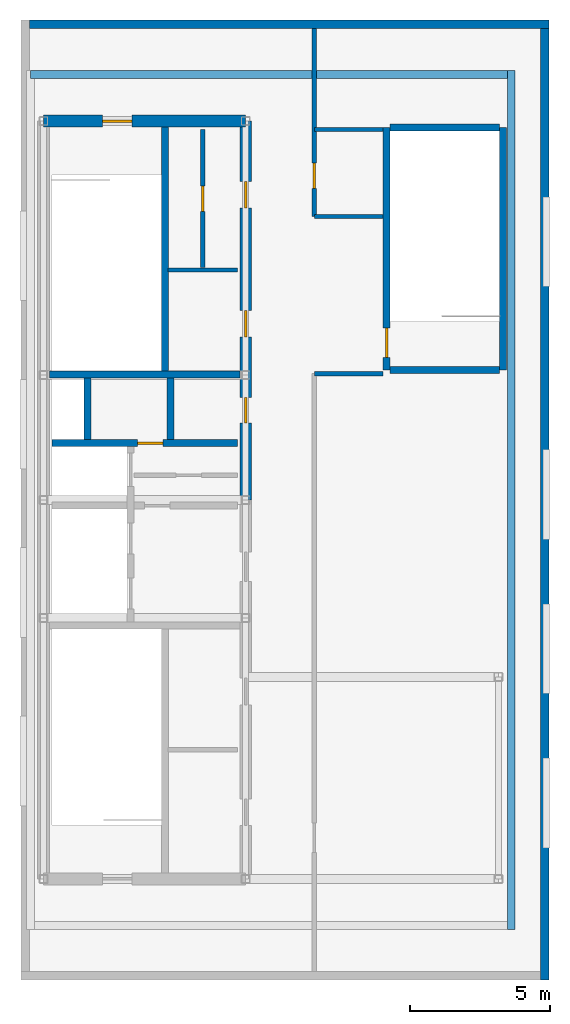
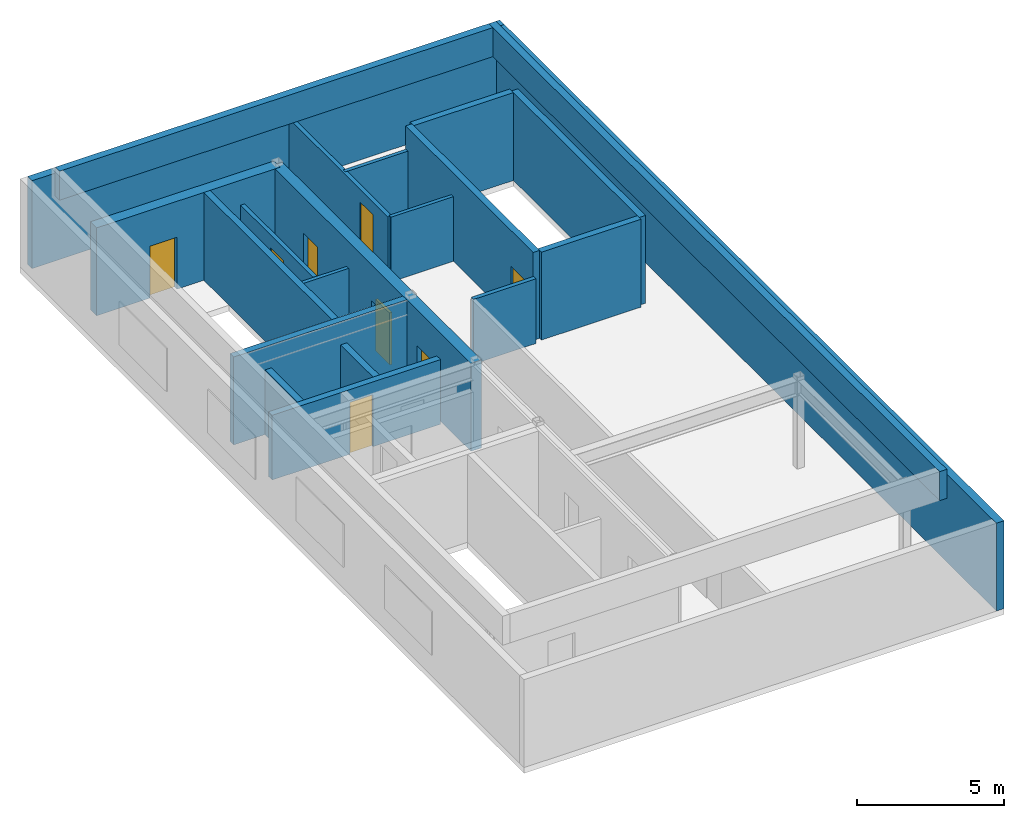
# One storey, part 2 of 3: 21 walls, 8 doors, 8 openings.
"""IFC4 building model written with IfcOpenShell, lengths in metres."""

from ifc_helpers import new_model, entity, si_unit, converted_unit, direction, frame, origin_with_axes, origin_2d_with_axis, place, context, subcontext, project, spatial, polyline, rectangle, outline, extrude, material, layer, layer_set, type_object, element, fill, save


model = new_model("IFC4")

# Units and contexts
model_context = context("Model", 3, precision=1e-05, world=origin_with_axes(), true_north=direction((0.0, 1.0)))
body_context = subcontext(model_context, "Body", "Model", "MODEL_VIEW")
ifc_project = project(units=[si_unit("LENGTHUNIT", "METRE"), si_unit("AREAUNIT", "SQUARE_METRE"), si_unit("VOLUMEUNIT", "CUBIC_METRE"), converted_unit("PLANEANGLEUNIT", "DEGREE", entity("IfcPlaneAngleMeasure", 0.017453292519943295), si_unit("PLANEANGLEUNIT", "RADIAN"), dimensions=[0, 0, 0, 0, 0, 0, 0]), si_unit("MASSUNIT", "GRAM", prefix="KILO"), si_unit("THERMODYNAMICTEMPERATUREUNIT", "KELVIN")], contexts=[model_context])

# Site, building, storey
site_placement = place(None, origin_with_axes())
site = spatial("IfcSite", under=ifc_project, at=site_placement, CompositionType="ELEMENT")
building_placement = place(site_placement, origin_with_axes())
building = spatial("IfcBuilding", under=site, at=building_placement, Name="Varnlund Millrace Tower", CompositionType="ELEMENT")
storey_placement = place(building_placement, frame((0.0, 0.0, 332.1), z_axis=(0.0, 0.0, 1.0), x_axis=(1.0, 0.0, 0.0)))
storey = spatial("IfcBuildingStorey", under=building, at=storey_placement, Name="L82", CompositionType="ELEMENT", Elevation=332.1)

# Wall, opening, door
ifc_material_1 = material(Name="Concrete C60/75", Category="concrete")
ifc_layer_1 = layer(ifc_material_1, 0.42, Name="Concrete C60/75")
ifc_layer_set_1 = layer_set([ifc_layer_1], Name="Concrete C60/75")
wall_type_1 = type_object("IfcWallType", Name="Type-CoreWall-Shear-420-C60", PredefinedType="SHEAR", material=ifc_layer_set_1)
wall_1_placement = place(storey_placement, frame((11.4, 37.8, 0.0), z_axis=(0.0, 0.0, 1.0), x_axis=(1.0, 0.0, 0.0)))
wall_1 = element("IfcWall", 1, at=wall_1_placement, inside=storey, type_object=wall_type_1, Name="Type-CoreWall-Shear-420-C60", PredefinedType="SHEAR", context=body_context, shape_type="SweptSolid", body=[
    extrude(outline(polyline([(0.0, -0.21), (7.2, -0.21), (7.2, 0.21), (0.0, 0.21), (0.0, -0.21)])), origin_with_axes(), (0.0, 0.0, 1.0), 3.64),
])
opening_1_placement = place(wall_1_placement, frame((2.625, 0.0, 0.0), z_axis=(0.0, 0.0, 1.0), x_axis=(1.0, 0.0, 0.0)))
opening_1 = element("IfcOpeningElement", 2, at=opening_1_placement, cuts=wall_1, Name="Opening L82:DR-STA2", PredefinedType="OPENING", context=body_context, shape_type="SweptSolid", body=[
    extrude(rectangle(XDim=1.05, YDim=0.44, at=origin_2d_with_axis()), origin_with_axes(), (0.0, 0.0, 1.0), 2.15),
])
ifc_material_2 = material(Name="Fire-rated hollow steel door", Category="steel")
door_type_1 = type_object("IfcDoorType", Name="Type-FireDoor-Stair-1050X2150", OperationType="NOTDEFINED", PredefinedType="DOOR", material=ifc_material_2)
door_1_placement = place(wall_1_placement, frame((2.625, 0.0, 0.0), z_axis=(0.0, 0.0, 1.0), x_axis=(1.0, 0.0, 0.0)))
door_1 = element("IfcDoor", 3, at=door_1_placement, inside=storey, type_object=door_type_1, Name="Type-FireDoor-Stair-1050X2150", OperationType="SINGLE_SWING_RIGHT", OverallHeight=2.15, OverallWidth=1.05, PredefinedType="DOOR", context=body_context, shape_type="SweptSolid", body=[
    extrude(rectangle(XDim=1.05, YDim=0.09, at=origin_2d_with_axis()), origin_with_axes(), (0.0, 0.0, 1.0), 2.15),
])
fill(opening_1, door_1)

# Wall, openings, doors
wall_2_placement = place(storey_placement, frame((18.6, 24.3, 0.0), z_axis=(0.0, 0.0, 1.0), x_axis=(0.0, 1.0, 0.0)))
wall_2 = element("IfcWall", 4, at=wall_2_placement, inside=storey, type_object=wall_type_1, Name="Type-CoreWall-Shear-420-C60", PredefinedType="SHEAR", context=body_context, shape_type="SweptSolid", body=[
    extrude(outline(polyline([(0.0, -0.21), (13.5, -0.21), (13.5, 0.21), (0.0, 0.21), (0.0, -0.21)])), origin_with_axes(), (0.0, 0.0, 1.0), 3.64),
])
opening_2_placement = place(wall_2_placement, frame((3.2, 0.0, 0.0), z_axis=(0.0, 0.0, 1.0), x_axis=(1.0, 0.0, 0.0)))
opening_2 = element("IfcOpeningElement", 5, at=opening_2_placement, cuts=wall_2, Name="Opening L82:DR-ROB", PredefinedType="OPENING", context=body_context, shape_type="SweptSolid", body=[
    extrude(rectangle(XDim=0.9, YDim=0.44, at=origin_2d_with_axis()), origin_with_axes(), (0.0, 0.0, 1.0), 2.15),
])
opening_3_placement = place(wall_2_placement, frame((6.275, 0.0, 0.0), z_axis=(0.0, 0.0, 1.0), x_axis=(1.0, 0.0, 0.0)))
opening_3 = element("IfcOpeningElement", 6, at=opening_3_placement, cuts=wall_2, Name="Opening L82:DR-RECL-M1", PredefinedType="OPENING", context=body_context, shape_type="SweptSolid", body=[
    extrude(rectangle(XDim=0.95, YDim=0.44, at=origin_2d_with_axis()), origin_with_axes(), (0.0, 0.0, 1.0), 2.15),
])
opening_4_placement = place(wall_2_placement, frame((10.875, 0.0, 0.0), z_axis=(0.0, 0.0, 1.0), x_axis=(1.0, 0.0, 0.0)))
opening_4 = element("IfcOpeningElement", 7, at=opening_4_placement, cuts=wall_2, Name="Opening L82:DR-RECL-M3", PredefinedType="OPENING", context=body_context, shape_type="SweptSolid", body=[
    extrude(rectangle(XDim=0.95, YDim=0.44, at=origin_2d_with_axis()), origin_with_axes(), (0.0, 0.0, 1.0), 2.15),
])
ifc_material_3 = material(Name="Fire-rated hollow steel service closet door", Category="steel")
door_type_2 = type_object("IfcDoorType", Name="Type-FireDoor-Closet-900X2150", OperationType="NOTDEFINED", PredefinedType="DOOR", material=ifc_material_3)
door_2_placement = place(wall_2_placement, frame((3.2, 0.0, 0.0), z_axis=(0.0, 0.0, 1.0), x_axis=(1.0, 0.0, 0.0)))
door_2 = element("IfcDoor", 8, at=door_2_placement, inside=storey, type_object=door_type_2, Name="Type-FireDoor-Closet-900X2150", OperationType="SINGLE_SWING_RIGHT", OverallHeight=2.15, OverallWidth=0.9, PredefinedType="DOOR", context=body_context, shape_type="SweptSolid", body=[
    extrude(rectangle(XDim=0.9, YDim=0.09, at=origin_2d_with_axis()), origin_with_axes(), (0.0, 0.0, 1.0), 2.15),
])
fill(opening_2, door_2)
ifc_material_4 = material(Name="Fire-rated hollow steel core service door", Category="steel")
door_type_3 = type_object("IfcDoorType", Name="Type-FireDoor-Service-950X2150", OperationType="NOTDEFINED", PredefinedType="DOOR", material=ifc_material_4)
door_3_placement = place(wall_2_placement, frame((6.275, 0.0, 0.0), z_axis=(0.0, 0.0, 1.0), x_axis=(1.0, 0.0, 0.0)))
door_3 = element("IfcDoor", 9, at=door_3_placement, inside=storey, type_object=door_type_3, Name="Type-FireDoor-Service-950X2150", OperationType="SINGLE_SWING_LEFT", OverallHeight=2.15, OverallWidth=0.95, PredefinedType="DOOR", context=body_context, shape_type="SweptSolid", body=[
    extrude(rectangle(XDim=0.95, YDim=0.09, at=origin_2d_with_axis()), origin_with_axes(), (0.0, 0.0, 1.0), 2.15),
])
fill(opening_3, door_3)
door_4_placement = place(wall_2_placement, frame((10.875, 0.0, 0.0), z_axis=(0.0, 0.0, 1.0), x_axis=(1.0, 0.0, 0.0)))
door_4 = element("IfcDoor", 10, at=door_4_placement, inside=storey, type_object=door_type_3, Name="Type-FireDoor-Service-950X2150", OperationType="SINGLE_SWING_RIGHT", OverallHeight=2.15, OverallWidth=0.95, PredefinedType="DOOR", context=body_context, shape_type="SweptSolid", body=[
    extrude(rectangle(XDim=0.95, YDim=0.09, at=origin_2d_with_axis()), origin_with_axes(), (0.0, 0.0, 1.0), 2.15),
])
fill(opening_4, door_4)

# Walls
ifc_material_5 = material(Name="Precast concrete C50/60", Category="concrete")
ifc_layer_2 = layer(ifc_material_5, 0.3, Name="Precast concrete C50/60")
ifc_layer_set_2 = layer_set([ifc_layer_2], Name="Precast concrete C50/60")
wall_type_2 = type_object("IfcWallType", Name="Type-ExtWall-Precast-Crown-300", PredefinedType="SOLIDWALL", material=ifc_layer_set_2)
wall_3_placement = place(storey_placement, frame((10.9, 41.25, 0.0), z_axis=(0.0, 0.0, 1.0), x_axis=(1.0, 0.0, 0.0)))
element("IfcWall", 11, at=wall_3_placement, inside=storey, type_object=wall_type_2, Name="Type-ExtWall-Precast-Crown-300", PredefinedType="SOLIDWALL", context=body_context, shape_type="SweptSolid", body=[
    extrude(outline(polyline([(0.0, -0.15), (18.5, -0.15), (18.5, 0.15), (0.0, 0.15), (0.0, -0.15)])), origin_with_axes(), (0.0, 0.0, 1.0), 3.64),
])
wall_4_placement = place(storey_placement, frame((29.25, 41.1, 0.0), z_axis=(0.0, 0.0, 1.0), x_axis=(0.0, -1.0, 0.0)))
element("IfcWall", 12, at=wall_4_placement, inside=storey, type_object=wall_type_2, Name="Type-ExtWall-Precast-Crown-300", PredefinedType="SOLIDWALL", context=body_context, shape_type="SweptSolid", body=[
    extrude(outline(polyline([(0.0, -0.15), (33.9, -0.15), (33.9, 0.15), (0.0, 0.15), (0.0, -0.15)])), origin_with_axes(), (0.0, 0.0, 1.0), 3.64),
])
ifc_layer_3 = layer(ifc_material_5, 0.28, Name="Precast concrete C50/60")
ifc_layer_set_3 = layer_set([ifc_layer_3], Name="Precast concrete C50/60")
wall_type_3 = type_object("IfcWallType", Name="Type-ParapetWall-Crown-280", PredefinedType="PARAPET", material=ifc_layer_set_3)
wall_5_placement = place(storey_placement, frame((28.06, 39.6, 3.9), z_axis=(0.0, 0.0, 1.0), x_axis=(0.0, -1.0, 0.0)))
element("IfcWall", 13, at=wall_5_placement, inside=storey, type_object=wall_type_3, Name="Type-ParapetWall-Crown-280", PredefinedType="PARAPET", context=body_context, shape_type="SweptSolid", body=[
    extrude(outline(polyline([(0.0, -0.14), (30.6, -0.14), (30.6, 0.14), (0.0, 0.14), (0.0, -0.14)])), origin_with_axes(), (0.0, 0.0, 1.0), 1.2),
])
wall_6_placement = place(storey_placement, frame((10.94, 39.46, 3.9), z_axis=(0.0, 0.0, 1.0), x_axis=(1.0, 0.0, 0.0)))
element("IfcWall", 14, at=wall_6_placement, inside=storey, type_object=wall_type_3, Name="Type-ParapetWall-Crown-280", PredefinedType="PARAPET", context=body_context, shape_type="SweptSolid", body=[
    extrude(outline(polyline([(0.0, -0.14), (16.98, -0.14), (16.98, 0.14), (0.0, 0.14), (0.0, -0.14)])), origin_with_axes(), (0.0, 0.0, 1.0), 1.2),
])

# Wall, opening, door
ifc_material_6 = material(Name="Fire-rated gypsum board on cold-formed steel framing", Category="steel")
ifc_layer_4 = layer(ifc_material_6, 0.16, Name="Fire-rated gypsum board on cold-formed steel framing")
ifc_layer_set_4 = layer_set([ifc_layer_4], Name="Fire-rated gypsum board on cold-formed steel framing")
wall_type_4 = type_object("IfcWallType", Name="Type-Partition-Corridor-160", PredefinedType="PARTITIONING", material=ifc_layer_set_4)
wall_7_placement = place(storey_placement, frame((17.07, 32.58, 0.0), z_axis=(0.0, 0.0, 1.0), x_axis=(0.0, 1.0, 0.0)))
wall_7 = element("IfcWall", 15, at=wall_7_placement, inside=storey, type_object=wall_type_4, Name="Type-Partition-Corridor-160", PredefinedType="PARTITIONING", context=body_context, shape_type="SweptSolid", body=[
    extrude(outline(polyline([(0.0, -0.08), (4.92, -0.08), (4.92, 0.08), (0.0, 0.08), (0.0, -0.08)])), origin_with_axes(), (0.0, 0.0, 1.0), 2.68),
])
opening_5_placement = place(wall_7_placement, frame((2.45, 0.0, 0.0), z_axis=(0.0, 0.0, 1.0), x_axis=(1.0, 0.0, 0.0)))
opening_5 = element("IfcOpeningElement", 16, at=opening_5_placement, cuts=wall_7, Name="Opening L82:DR-RECL-M2", PredefinedType="OPENING", context=body_context, shape_type="SweptSolid", body=[
    extrude(rectangle(XDim=0.9, YDim=0.18, at=origin_2d_with_axis()), origin_with_axes(), (0.0, 0.0, 1.0), 2.15),
])
ifc_material_7 = material(Name="Painted steel riser and closet door", Category="steel")
door_type_4 = type_object("IfcDoorType", Name="Type-IntDoor-Closet-900X2150", OperationType="NOTDEFINED", PredefinedType="DOOR", material=ifc_material_7)
door_5_placement = place(wall_7_placement, frame((2.45, 0.0, 0.0), z_axis=(0.0, 0.0, 1.0), x_axis=(1.0, 0.0, 0.0)))
door_5 = element("IfcDoor", 17, at=door_5_placement, inside=storey, type_object=door_type_4, Name="Type-IntDoor-Closet-900X2150", OperationType="SINGLE_SWING_LEFT", OverallHeight=2.15, OverallWidth=0.9, PredefinedType="DOOR", context=body_context, shape_type="SweptSolid", body=[
    extrude(rectangle(XDim=0.9, YDim=0.09, at=origin_2d_with_axis()), origin_with_axes(), (0.0, 0.0, 1.0), 2.15),
])
fill(opening_5, door_5)

wall_8_placement = place(storey_placement, frame((21.05, 34.4, 0.0), z_axis=(0.0, 0.0, 1.0), x_axis=(0.0, 1.0, 0.0)))
wall_8 = element("IfcWall", 18, at=wall_8_placement, inside=storey, type_object=wall_type_4, Name="Type-Partition-Corridor-160", PredefinedType="PARTITIONING", context=body_context, shape_type="SweptSolid", body=[
    extrude(outline(polyline([(0.0, -0.08), (6.705, -0.08), (6.705, 0.08), (0.0, 0.08), (0.0, -0.08)])), origin_with_axes(), (0.0, 0.0, 1.0), 2.68),
])
opening_6_placement = place(wall_8_placement, frame((1.45, 0.0, 0.0), z_axis=(0.0, 0.0, 1.0), x_axis=(1.0, 0.0, 0.0)))
opening_6 = element("IfcOpeningElement", 19, at=opening_6_placement, cuts=wall_8, Name="Opening L82:DR-CRN-WC", PredefinedType="OPENING", context=body_context, shape_type="SweptSolid", body=[
    extrude(rectangle(XDim=0.9, YDim=0.18, at=origin_2d_with_axis()), origin_with_axes(), (0.0, 0.0, 1.0), 2.15),
])
door_6_placement = place(wall_8_placement, frame((1.45, 0.0, 0.0), z_axis=(0.0, 0.0, 1.0), x_axis=(1.0, 0.0, 0.0)))
door_6 = element("IfcDoor", 20, at=door_6_placement, inside=storey, type_object=door_type_4, Name="Type-IntDoor-Closet-900X2150", OperationType="SINGLE_SWING_LEFT", OverallHeight=2.15, OverallWidth=0.9, PredefinedType="DOOR", context=body_context, shape_type="SweptSolid", body=[
    extrude(rectangle(XDim=0.9, YDim=0.09, at=origin_2d_with_axis()), origin_with_axes(), (0.0, 0.0, 1.0), 2.15),
])
fill(opening_6, door_6)

# Walls
wall_9_placement = place(storey_placement, frame((21.05, 28.8, 0.0), z_axis=(0.0, 0.0, 1.0), x_axis=(1.0, 0.0, 0.0)))
element("IfcWall", 21, at=wall_9_placement, inside=storey, type_object=wall_type_4, Name="Type-Partition-Corridor-160", PredefinedType="PARTITIONING", context=body_context, shape_type="SweptSolid", body=[
    extrude(outline(polyline([(0.0, -0.08), (2.45, -0.08), (2.45, 0.08), (0.0, 0.08), (0.0, -0.08)])), origin_with_axes(), (0.0, 0.0, 1.0), 2.68),
])
ifc_material_8 = material(Name="Moisture-resistant gypsum restroom partition", Category="gypsum")
ifc_layer_5 = layer(ifc_material_8, 0.14, Name="Moisture-resistant gypsum restroom partition")
ifc_layer_set_5 = layer_set([ifc_layer_5], Name="Moisture-resistant gypsum restroom partition")
wall_type_5 = type_object("IfcWallType", Name="Type-Partition-Wet-140", PredefinedType="PARTITIONING", material=ifc_layer_set_5)
wall_10_placement = place(storey_placement, frame((15.84, 32.5, 0.0), z_axis=(0.0, 0.0, 1.0), x_axis=(1.0, 0.0, 0.0)))
element("IfcWall", 22, at=wall_10_placement, inside=storey, type_object=wall_type_5, Name="Type-Partition-Wet-140", PredefinedType="PARTITIONING", context=body_context, shape_type="SweptSolid", body=[
    extrude(outline(polyline([(0.0, -0.07), (2.46, -0.07), (2.46, 0.07), (0.0, 0.07), (0.0, -0.07)])), origin_with_axes(), (0.0, 0.0, 1.0), 2.68),
])
for number, where, z_axis, x_axis, name in (
    (23, (21.05, 34.4, 0.0), (0.0, 0.0, 1.0), (1.0, 0.0, 0.0), "Type-Partition-Wet-140"),
    (24, (21.05, 37.5, 0.0), (0.0, 0.0, 1.0), (1.0, 0.0, 0.0), "Type-Partition-Wet-140"),
):
    element("IfcWall", number, at=place(storey_placement, frame(where, z_axis=z_axis, x_axis=x_axis)), inside=storey, type_object=wall_type_5, Name=name, PredefinedType="PARTITIONING", context=body_context, shape_type="SweptSolid", body=[
        extrude(outline(polyline([(0.0, -0.07), (2.45, -0.07), (2.45, 0.07), (0.0, 0.07), (0.0, -0.07)])), origin_with_axes(), (0.0, 0.0, 1.0), 2.68),
    ])

# Wall, opening, door
ifc_layer_6 = layer(ifc_material_1, 0.25, Name="Concrete C60/75")
ifc_layer_set_6 = layer_set([ifc_layer_6], Name="Concrete C60/75")
wall_type_6 = type_object("IfcWallType", Name="Type-ShaftWall-Fire-250", PredefinedType="SOLIDWALL", material=ifc_layer_set_6)
wall_11_placement = place(storey_placement, frame((11.7, 26.325, 0.0), z_axis=(0.0, 0.0, 1.0), x_axis=(1.0, 0.0, 0.0)))
wall_11 = element("IfcWall", 25, at=wall_11_placement, inside=storey, type_object=wall_type_6, Name="Type-ShaftWall-Fire-250", PredefinedType="SOLIDWALL", context=body_context, shape_type="SweptSolid", body=[
    extrude(outline(polyline([(0.0, -0.125), (6.6, -0.125), (6.6, 0.125), (0.0, 0.125), (0.0, -0.125)])), origin_with_axes(), (0.0, 0.0, 1.0), 2.68),
])
opening_7_placement = place(wall_11_placement, frame((3.5, 0.0, 0.0), z_axis=(0.0, 0.0, 1.0), x_axis=(1.0, 0.0, 0.0)))
opening_7 = element("IfcOpeningElement", 26, at=opening_7_placement, cuts=wall_11, Name="Opening L82:DR-CA-ELC", PredefinedType="OPENING", context=body_context, shape_type="SweptSolid", body=[
    extrude(rectangle(XDim=0.9, YDim=0.27, at=origin_2d_with_axis()), origin_with_axes(), (0.0, 0.0, 1.0), 2.15),
])
door_7_placement = place(wall_11_placement, frame((3.5, 0.0, 0.0), z_axis=(0.0, 0.0, 1.0), x_axis=(1.0, 0.0, 0.0)))
door_7 = element("IfcDoor", 27, at=door_7_placement, inside=storey, type_object=door_type_2, Name="Type-FireDoor-Closet-900X2150", OperationType="SINGLE_SWING_LEFT", OverallHeight=2.15, OverallWidth=0.9, PredefinedType="DOOR", context=body_context, shape_type="SweptSolid", body=[
    extrude(rectangle(XDim=0.9, YDim=0.09, at=origin_2d_with_axis()), origin_with_axes(), (0.0, 0.0, 1.0), 2.15),
])
fill(opening_7, door_7)

# Walls
for number, where, z_axis, x_axis, name in (
    (28, (12.96, 26.45, 0.0), (0.0, 0.0, 1.0), (0.0, 1.0, 0.0), "Type-ShaftWall-Fire-250"),
    (29, (15.925, 26.45, 0.0), (0.0, 0.0, 1.0), (0.0, 1.0, 0.0), "Type-ShaftWall-Fire-250"),
):
    element("IfcWall", number, at=place(storey_placement, frame(where, z_axis=z_axis, x_axis=x_axis)), inside=storey, type_object=wall_type_6, Name=name, PredefinedType="SOLIDWALL", context=body_context, shape_type="SweptSolid", body=[
        extrude(outline(polyline([(0.0, -0.125), (2.2, -0.125), (2.2, 0.125), (0.0, 0.125), (0.0, -0.125)])), origin_with_axes(), (0.0, 0.0, 1.0), 2.68),
    ])
wall_type_7 = type_object("IfcWallType", Name="Type-StairWall-Shear-250", PredefinedType="SHEAR", material=ifc_layer_set_6)
wall_12_placement = place(storey_placement, frame((15.725, 28.9, 0.0), z_axis=(0.0, 0.0, 1.0), x_axis=(0.0, 1.0, 0.0)))
element("IfcWall", 30, at=wall_12_placement, inside=storey, type_object=wall_type_7, Name="Type-StairWall-Shear-250", PredefinedType="SHEAR", context=body_context, shape_type="SweptSolid", body=[
    extrude(outline(polyline([(0.0, -0.125), (8.69, -0.125), (8.69, 0.125), (0.0, 0.125), (0.0, -0.125)])), origin_with_axes(), (0.0, 0.0, 1.0), 3.64),
])
wall_13_placement = place(storey_placement, frame((11.61, 28.775, 0.0), z_axis=(0.0, 0.0, 1.0), x_axis=(1.0, 0.0, 0.0)))
element("IfcWall", 31, at=wall_13_placement, inside=storey, type_object=wall_type_7, Name="Type-StairWall-Shear-250", PredefinedType="SHEAR", context=body_context, shape_type="SweptSolid", body=[
    extrude(outline(polyline([(0.0, -0.125), (6.78, -0.125), (6.78, 0.125), (0.0, 0.125), (0.0, -0.125)])), origin_with_axes(), (0.0, 0.0, 1.0), 3.64),
])

# Wall, opening, door
wall_14_placement = place(storey_placement, frame((23.625, 28.925, 0.0), z_axis=(0.0, 0.0, 1.0), x_axis=(0.0, 1.0, 0.0)))
wall_14 = element("IfcWall", 32, at=wall_14_placement, inside=storey, type_object=wall_type_7, Name="Type-StairWall-Shear-250", PredefinedType="SHEAR", context=body_context, shape_type="SweptSolid", body=[
    extrude(outline(polyline([(0.0, -0.125), (8.65, -0.125), (8.65, 0.125), (0.0, 0.125), (0.0, -0.125)])), origin_with_axes(), (0.0, 0.0, 1.0), 3.64),
])
opening_8_placement = place(wall_14_placement, frame((0.975, 0.0, 0.0), z_axis=(0.0, 0.0, 1.0), x_axis=(1.0, 0.0, 0.0)))
opening_8 = element("IfcOpeningElement", 33, at=opening_8_placement, cuts=wall_14, Name="Opening L82:DR-STA3", PredefinedType="OPENING", context=body_context, shape_type="SweptSolid", body=[
    extrude(rectangle(XDim=1.05, YDim=0.27, at=origin_2d_with_axis()), origin_with_axes(), (0.0, 0.0, 1.0), 2.15),
])
door_8_placement = place(wall_14_placement, frame((0.975, 0.0, 0.0), z_axis=(0.0, 0.0, 1.0), x_axis=(1.0, 0.0, 0.0)))
door_8 = element("IfcDoor", 34, at=door_8_placement, inside=storey, type_object=door_type_1, Name="Type-FireDoor-Stair-1050X2150", OperationType="SINGLE_SWING_LEFT", OverallHeight=2.15, OverallWidth=1.05, PredefinedType="DOOR", context=body_context, shape_type="SweptSolid", body=[
    extrude(rectangle(XDim=1.05, YDim=0.09, at=origin_2d_with_axis()), origin_with_axes(), (0.0, 0.0, 1.0), 2.15),
])
fill(opening_8, door_8)

# Walls
wall_15_placement = place(storey_placement, frame((27.775, 28.925, 0.0), z_axis=(0.0, 0.0, 1.0), x_axis=(0.0, 1.0, 0.0)))
element("IfcWall", 35, at=wall_15_placement, inside=storey, type_object=wall_type_7, Name="Type-StairWall-Shear-250", PredefinedType="SHEAR", context=body_context, shape_type="SweptSolid", body=[
    extrude(outline(polyline([(0.0, -0.125), (8.65, -0.125), (8.65, 0.125), (0.0, 0.125), (0.0, -0.125)])), origin_with_axes(), (0.0, 0.0, 1.0), 3.64),
])
for number, where, z_axis, x_axis, name in (
    (36, (23.75, 28.925, 0.0), (0.0, 0.0, 1.0), (1.0, 0.0, 0.0), "Type-StairWall-Shear-250"),
    (37, (23.75, 37.575, 0.0), (0.0, 0.0, 1.0), (1.0, 0.0, 0.0), "Type-StairWall-Shear-250"),
):
    element("IfcWall", number, at=place(storey_placement, frame(where, z_axis=z_axis, x_axis=x_axis)), inside=storey, type_object=wall_type_7, Name=name, PredefinedType="SHEAR", context=body_context, shape_type="SweptSolid", body=[
        extrude(outline(polyline([(0.0, -0.125), (3.9, -0.125), (3.9, 0.125), (0.0, 0.125), (0.0, -0.125)])), origin_with_axes(), (0.0, 0.0, 1.0), 3.64),
    ])

save(model, "model.ifc")
